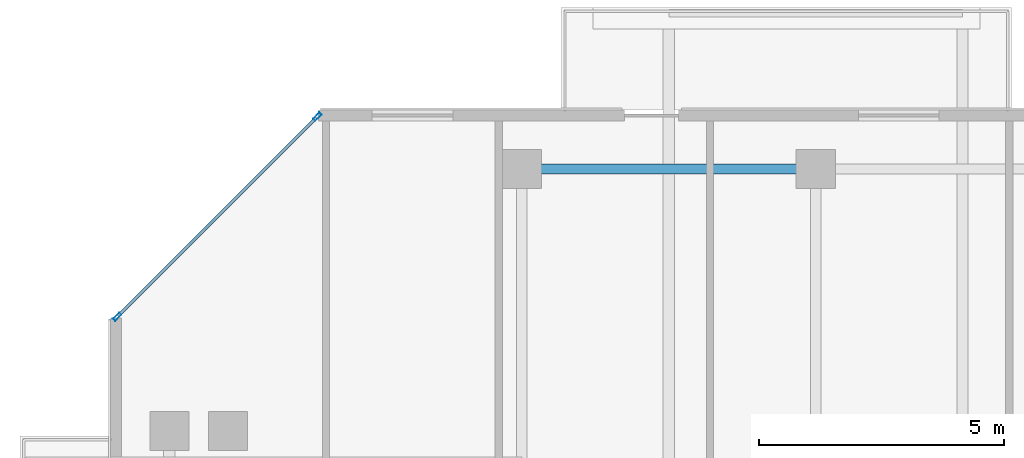
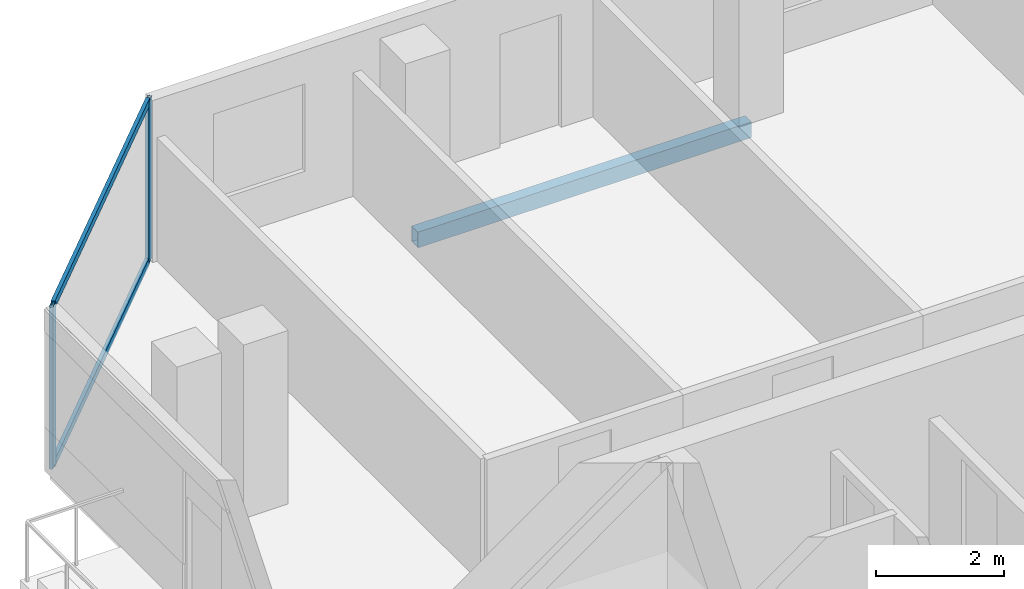
# One storey, part 8 of 29: 4 members, 1 beam, 1 element without a shape of its own.
"""IFC4 building model written with IfcOpenShell, lengths in metres."""

import ifcopenshell
import ifcopenshell.guid

model = None  # the IFC model being written
_history = None  # IfcOwnerHistory: only IFC2X3 demands one
_inside = {}  # id of a spatial element -> (the spatial element, [elements in it])
_under = {}  # id of a project, library or spatial element -> (it, [spatial elements below it])
_declared = {}  # id of a project -> (the project, [libraries it declares])
_typed = {}  # id of a type object -> (the type object, [elements of that type])
_made_of = {}  # id of a material, layer set ... -> (it, [elements and type objects made of it])


def new_model(schema):
    """Start an empty IFC model of exactly this schema.

    Asked for "IFC4X3", IfcOpenShell would pick the latest addendum, in which some entities
    have other attributes; the version numbers below select the first issue.
    IFC2X3 requires an IfcOwnerHistory on every rooted entity: one is made here for all.
    """
    global model, _history
    if schema == "IFC4X3":
        model = ifcopenshell.file(schema_version=(4, 3, 0, 0))
    else:
        model = ifcopenshell.file(schema=schema)
    _inside.clear()
    _under.clear()
    _declared.clear()
    _typed.clear()
    _made_of.clear()
    _history = None
    if model.schema == "IFC2X3":
        org = make("IfcOrganization", Name="unknown")
        user = make(
            "IfcPersonAndOrganization",
            ThePerson=make("IfcPerson", FamilyName="unknown"),
            TheOrganization=org,
        )
        app = make(
            "IfcApplication",
            ApplicationDeveloper=org,
            Version="unknown",
            ApplicationFullName="unknown",
            ApplicationIdentifier="unknown",
        )
        _history = make(
            "IfcOwnerHistory",
            OwningUser=user,
            OwningApplication=app,
            ChangeAction="ADDED",
            CreationDate=0,
        )
    return model


def make(cls, **values):
    """One entity of the class cls with the attributes given. An attribute that is None is left unset."""
    return model.create_entity(
        cls, **{name: value for name, value in values.items() if value is not None}
    )


def rooted(cls, **values):
    """An entity with a GlobalId (a new one), such as an element, a storey or a relation."""
    return make(cls, GlobalId=ifcopenshell.guid.new(), OwnerHistory=_history, **values)


def si_unit(unit_type, name, prefix=None):
    """IfcSIUnit, for example si_unit("LENGTHUNIT", "METRE", prefix="MILLI")."""
    return make("IfcSIUnit", UnitType=unit_type, Prefix=prefix, Name=name)


def assignment(units):
    """IfcUnitAssignment: the units of a project."""
    return None if units is None else make("IfcUnitAssignment", Units=units)


def point(xyz):
    """IfcCartesianPoint."""
    return None if xyz is None else make("IfcCartesianPoint", Coordinates=xyz)


def direction(xyz):
    """IfcDirection."""
    return None if xyz is None else make("IfcDirection", DirectionRatios=xyz)


def frame(location, z_axis=None, x_axis=None):
    """IfcAxis2Placement3D, a coordinate frame: its origin and axes. An axis left out is left unset."""
    return make(
        "IfcAxis2Placement3D",
        Location=point(location),
        Axis=direction(z_axis),
        RefDirection=direction(x_axis),
    )


def frame_2d(location, x_axis=None):
    """IfcAxis2Placement2D, a coordinate frame in the plane: its origin and x axis."""
    return make(
        "IfcAxis2Placement2D", Location=point(location), RefDirection=direction(x_axis)
    )


def origin():
    """The frame at (0, 0, 0) with its axes left unset."""
    return frame((0.0, 0.0, 0.0))


def origin_2d():
    """The frame at (0, 0) in the plane with its x axis left unset."""
    return frame_2d((0.0, 0.0))


def place(relative_to, where):
    """IfcLocalPlacement: puts the frame where relative to a parent placement (None: the world)."""
    return make(
        "IfcLocalPlacement", PlacementRelTo=relative_to, RelativePlacement=where
    )


def context(
    kind, dimensions, precision=None, world=None, true_north=None, identifier=None
):
    """IfcGeometricRepresentationContext, for example the 3D "Model" context."""
    return make(
        "IfcGeometricRepresentationContext",
        ContextIdentifier=identifier,
        ContextType=kind,
        CoordinateSpaceDimension=dimensions,
        Precision=precision,
        WorldCoordinateSystem=world,
        TrueNorth=true_north,
    )


def subcontext(parent, identifier, kind, view, scale=None):
    """IfcGeometricRepresentationSubContext, for example "Body" below "Model"."""
    return make(
        "IfcGeometricRepresentationSubContext",
        ContextIdentifier=identifier,
        ContextType=kind,
        ParentContext=parent,
        TargetScale=scale,
        TargetView=view,
    )


def project(units=None, contexts=None):
    """IfcProject with its units and contexts."""
    return rooted(
        "IfcProject",
        Name="project",
        RepresentationContexts=contexts,
        UnitsInContext=assignment(units),
    )


def spatial(cls, under=None, at=None, **own):
    """A site, building, storey or space (cls), placed at a placement, below another one or the project."""
    s = rooted(cls, ObjectPlacement=at, **own)
    if under is not None:
        _under.setdefault(under.id(), (under, []))[1].append(s)
    return s


def profile(cls, at=None, kind="AREA", **sizes):
    """A parametric profile (cls). Its sizes go by their IFC names, for example OverallWidth=200.0."""
    return make(cls, ProfileType=kind, Position=at, **sizes)


def hollow_rectangle(**sizes):
    """IfcRectangleHollowProfileDef."""
    return profile("IfcRectangleHollowProfileDef", **sizes)


def extrude(swept, where, along, depth):
    """IfcExtrudedAreaSolid: the profile swept, set in the frame where, extruded along a direction by depth."""
    return make(
        "IfcExtrudedAreaSolid",
        SweptArea=swept,
        Position=where,
        ExtrudedDirection=direction(along),
        Depth=depth,
    )


def shape(context_of_items, identifier, shape_type, items):
    """IfcShapeRepresentation: the items that make up one representation, for example the "Body"."""
    return make(
        "IfcShapeRepresentation",
        ContextOfItems=context_of_items,
        RepresentationIdentifier=identifier,
        RepresentationType=shape_type,
        Items=items,
    )


def material(Name=None, Category=None):
    """IfcMaterial."""
    return make("IfcMaterial", Name=Name, Category=Category)


def layer(
    of_material, thickness, ventilated=None, Name=None, Category=None, Priority=None
):
    """IfcMaterialLayer: one layer of a wall or slab, of a material (None: an air gap)."""
    return make(
        "IfcMaterialLayer",
        Material=of_material,
        LayerThickness=thickness,
        IsVentilated=ventilated,
        Name=Name,
        Category=Category,
        Priority=Priority,
    )


def layer_set(layers, Name=None):
    """IfcMaterialLayerSet."""
    return make("IfcMaterialLayerSet", MaterialLayers=layers, LayerSetName=Name)


def material_profile(
    of_material, cross_section, Name=None, Category=None, Priority=None
):
    """IfcMaterialProfile: a cross section and its material."""
    return make(
        "IfcMaterialProfile",
        Name=Name,
        Material=of_material,
        Profile=cross_section,
        Priority=Priority,
        Category=Category,
    )


def profile_set(profiles, Name=None, composite=None):
    """IfcMaterialProfileSet."""
    return make(
        "IfcMaterialProfileSet",
        Name=Name,
        MaterialProfiles=profiles,
        CompositeProfile=composite,
    )


def made_of(thing, what):
    """Note that an element or type object is made of a material, layer set ...; save() writes the relation."""
    if what is not None:
        _made_of.setdefault(what.id(), (what, []))[1].append(thing)
    return thing


def type_object(cls, material=None, **own):
    """A type object (cls), such as IfcWallType, which elements share."""
    return made_of(rooted(cls, **own), material)


def element(
    cls,
    number,
    at=None,
    inside=None,
    cuts=None,
    type_object=None,
    material=None,
    context=None,
    identifier="Body",
    shape_type=None,
    held_by="IfcProductDefinitionShape",
    body=None,
    shapes=None,
    **own,
):
    """One element of the class cls, such as IfcWall. Its Tag is "e" and its number.

    at: its placement. inside: the storey or other place that contains it. cuts: it is an
    opening in that element (IfcRelVoidsElement). A single representation is given by context,
    identifier, shape_type and body (its items); several are given by shapes. held_by: the class
    of the entity that holds the representations. save() writes the other relations.
    """
    e = rooted(cls, Tag="e%d" % number, ObjectPlacement=at, **own)
    if body is not None:
        shapes = [shape(context, identifier, shape_type, body)]
    if shapes is not None:
        e.Representation = make(held_by, Representations=shapes)
    if inside is not None:
        _inside.setdefault(inside.id(), (inside, []))[1].append(e)
    if cuts is not None:
        rooted(
            "IfcRelVoidsElement", RelatingBuildingElement=cuts, RelatedOpeningElement=e
        )
    if type_object is not None:
        _typed.setdefault(type_object.id(), (type_object, []))[1].append(e)
    return made_of(e, material)


def aggregate(whole, parts):
    """IfcRelAggregates: a whole, such as a stair, and the parts it consists of."""
    return rooted("IfcRelAggregates", RelatingObject=whole, RelatedObjects=parts)


def save(model, path):
    """Write the relations noted so far, then the file.

    IfcRelAggregates (storeys below a building ...), IfcRelContainedInSpatialStructure (elements
    in a storey), IfcRelDefinesByType, IfcRelAssociatesMaterial and IfcRelDeclares: one each for
    every whole, place, type object, material and project.
    """
    for whole, parts in _under.values():
        aggregate(whole, parts)
    for where, things in _inside.values():
        rooted(
            "IfcRelContainedInSpatialStructure",
            RelatedElements=things,
            RelatingStructure=where,
        )
    for kind, things in _typed.values():
        rooted("IfcRelDefinesByType", RelatedObjects=things, RelatingType=kind)
    for what, things in _made_of.values():
        rooted("IfcRelAssociatesMaterial", RelatedObjects=things, RelatingMaterial=what)
    for by, libraries in _declared.values():
        rooted("IfcRelDeclares", RelatingContext=by, RelatedDefinitions=libraries)
    model.write(path)


model = new_model("IFC4")

# Units and contexts
model_context = context("Model", 3, precision=1e-05, world=origin(), true_north=direction((0.0, 1.0)))
body_context = subcontext(model_context, "Body", "Model", "MODEL_VIEW")
ifc_project = project(units=[si_unit("LENGTHUNIT", "METRE"), si_unit("AREAUNIT", "SQUARE_METRE"), si_unit("VOLUMEUNIT", "CUBIC_METRE"), si_unit("PLANEANGLEUNIT", "RADIAN"), si_unit("MASSUNIT", "GRAM", prefix="KILO")], contexts=[model_context])

# Site, building, storey
site_placement = place(None, origin())
site = spatial("IfcSite", under=ifc_project, at=site_placement, CompositionType="ELEMENT")
building_placement = place(site_placement, origin())
building = spatial("IfcBuilding", under=site, at=building_placement, Name="Tanjung Sevakor Pilgrim Tower", CompositionType="ELEMENT")
storey_placement = place(building_placement, frame((0.0, 0.0, 181.830078125)))
storey = spatial("IfcBuildingStorey", under=building, at=storey_placement, Name="L50", CompositionType="ELEMENT", Elevation=181.830078125)

# Beam
ifc_material_1 = material(Name="Steel S355J2", Category="steel")
ifc_material_profile_1 = material_profile(ifc_material_1, hollow_rectangle(XDim=0.199951171875, YDim=0.300048828125, WallThickness=0.012451171875, at=origin_2d()))
ifc_profile_set_1 = profile_set([ifc_material_profile_1], Name="Steel S355J2")
beam_type = type_object("IfcBeamType", Name="BM-B-SP3-RHS_300x200x12.5", PredefinedType="SPANDREL", material=ifc_profile_set_1)
beam_placement = place(storey_placement, frame((30.0, 53.949951171875, -0.3701171875), z_axis=(1.0, 0.0, 0.0), x_axis=(0.0, 1.0, 0.0)))
element("IfcBeam", 1, at=beam_placement, inside=storey, type_object=beam_type, Name="L50 Spandrel MAIN N-02", PredefinedType="SPANDREL", context=body_context, shape_type="SweptSolid", body=[
    extrude(hollow_rectangle(XDim=0.199951171875, YDim=0.300048828125, WallThickness=0.012451171875, at=origin_2d()), origin(), (0.0, 0.0, 1.0), 6.0),
])

# Curtain wall, members
ifc_material_2 = material(Name="Aluminium 6063-T6 and Low-E Glass", Category="aluminium")
ifc_layer = layer(ifc_material_2, 0.179931640625)
ifc_layer_set = layer_set([ifc_layer], Name="CW-SYS-CHAM")
curtain_wall_type = type_object("IfcCurtainWallType", Name="CW-SYS-CHAM", PredefinedType="NOTDEFINED", material=ifc_layer_set)
curtain_wall_placement = place(storey_placement, origin())
curtain_wall = element("IfcCurtainWall", 2, at=curtain_wall_placement, inside=storey, type_object=curtain_wall_type, Name="L50 Curtain Wall CW-CHM-L50-MAIN-13", PredefinedType="NOTDEFINED")
ifc_material_3 = material(Name="Aluminium 6063-T6", Category="aluminium")
ifc_material_profile_2 = material_profile(ifc_material_3, hollow_rectangle(XDim=0.06494140625, YDim=0.179931640625, WallThickness=0.00390625, at=origin_2d()))
ifc_profile_set_2 = profile_set([ifc_material_profile_2], Name="Aluminium 6063-T6")
member_type_1 = type_object("IfcMemberType", Name="TYPE-CWM-1", PredefinedType="MULLION", material=ifc_profile_set_2)
member_1_placement = place(storey_placement, frame((25.822509765625, 55.01708984375, 0.0), z_axis=(0.0, 0.0, 1.0), x_axis=(0.707106781187, -0.707106781187, 0.0)))
member_1 = element("IfcMember", 3, at=member_1_placement, type_object=member_type_1, Name="CW-CHM mullion 1", PredefinedType="MULLION", context=body_context, shape_type="SweptSolid", body=[
    extrude(hollow_rectangle(XDim=0.06494140625, YDim=0.179931640625, WallThickness=0.00390625, at=origin_2d()), origin(), (0.0, 0.0, 1.0), 3.079833984375),
])
member_2_placement = place(storey_placement, frame((21.73291015625, 50.927490234375, 0.0), z_axis=(0.0, 0.0, 1.0), x_axis=(0.707106781187, -0.707106781187, 0.0)))
member_2 = element("IfcMember", 4, at=member_2_placement, type_object=member_type_1, Name="CW-CHM mullion 2", PredefinedType="MULLION", context=body_context, shape_type="SweptSolid", body=[
    extrude(hollow_rectangle(XDim=0.06494140625, YDim=0.179931640625, WallThickness=0.00390625, at=origin_2d()), origin(), (0.0, 0.0, 1.0), 3.079833984375),
])
ifc_material_4 = material(Name="Aluminium 6063-T6", Category="aluminium")
ifc_material_profile_3 = material_profile(ifc_material_4, hollow_rectangle(XDim=0.06494140625, YDim=0.139892578125, WallThickness=0.00390625, at=origin_2d()))
ifc_profile_set_3 = profile_set([ifc_material_profile_3], Name="Aluminium 6063-T6")
member_type_2 = type_object("IfcMemberType", Name="TYPE-CWT-1", PredefinedType="USERDEFINED", material=ifc_profile_set_3)
member_3_placement = place(storey_placement, frame((25.799560546875, 54.994140625, 0.032470703125), z_axis=(-0.707106781187, -0.707106781187, 0.0), x_axis=(0.707106781187, -0.707106781187, 0.0)))
member_3 = element("IfcMember", 5, at=member_3_placement, type_object=member_type_2, Name="CW-CHM transom 1.1", ObjectType="TRANSOM", PredefinedType="USERDEFINED", context=body_context, shape_type="SweptSolid", body=[
    extrude(hollow_rectangle(XDim=0.06494140625, YDim=0.139892578125, WallThickness=0.00390625, at=origin_2d()), origin(), (0.0, 0.0, 1.0), 5.71875),
])
member_4_placement = place(storey_placement, frame((25.799560546875, 54.994140625, 3.04736328125), z_axis=(-0.707106781187, -0.707106781187, 0.0), x_axis=(0.707106781187, -0.707106781187, 0.0)))
member_4 = element("IfcMember", 6, at=member_4_placement, type_object=member_type_2, Name="CW-CHM transom 1.2", ObjectType="TRANSOM", PredefinedType="USERDEFINED", context=body_context, shape_type="SweptSolid", body=[
    extrude(hollow_rectangle(XDim=0.06494140625, YDim=0.139892578125, WallThickness=0.00390625, at=origin_2d()), origin(), (0.0, 0.0, 1.0), 5.71875),
])
aggregate(curtain_wall, [member_1, member_2, member_3, member_4])

save(model, "model.ifc")
